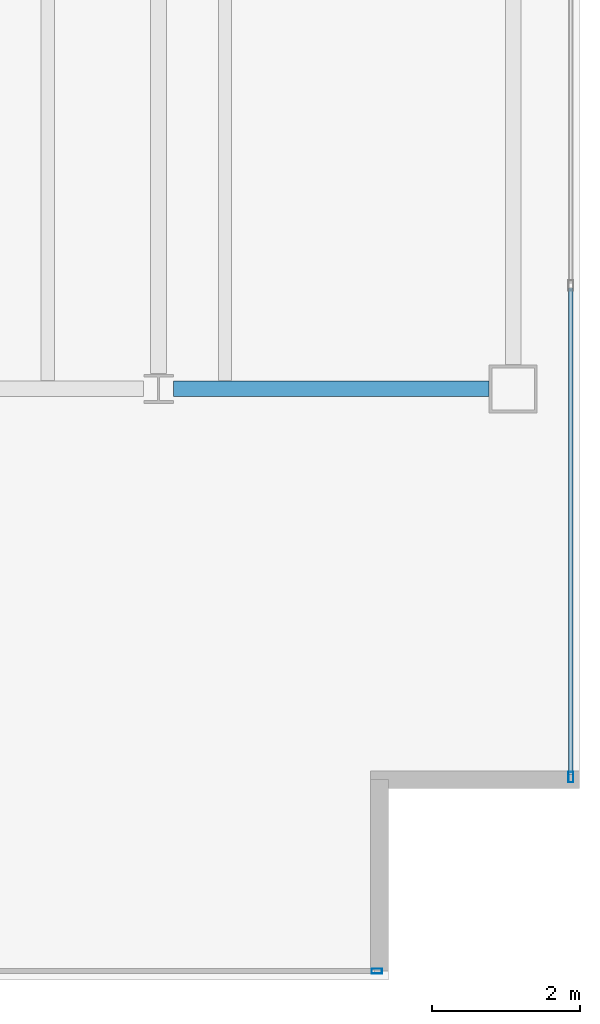
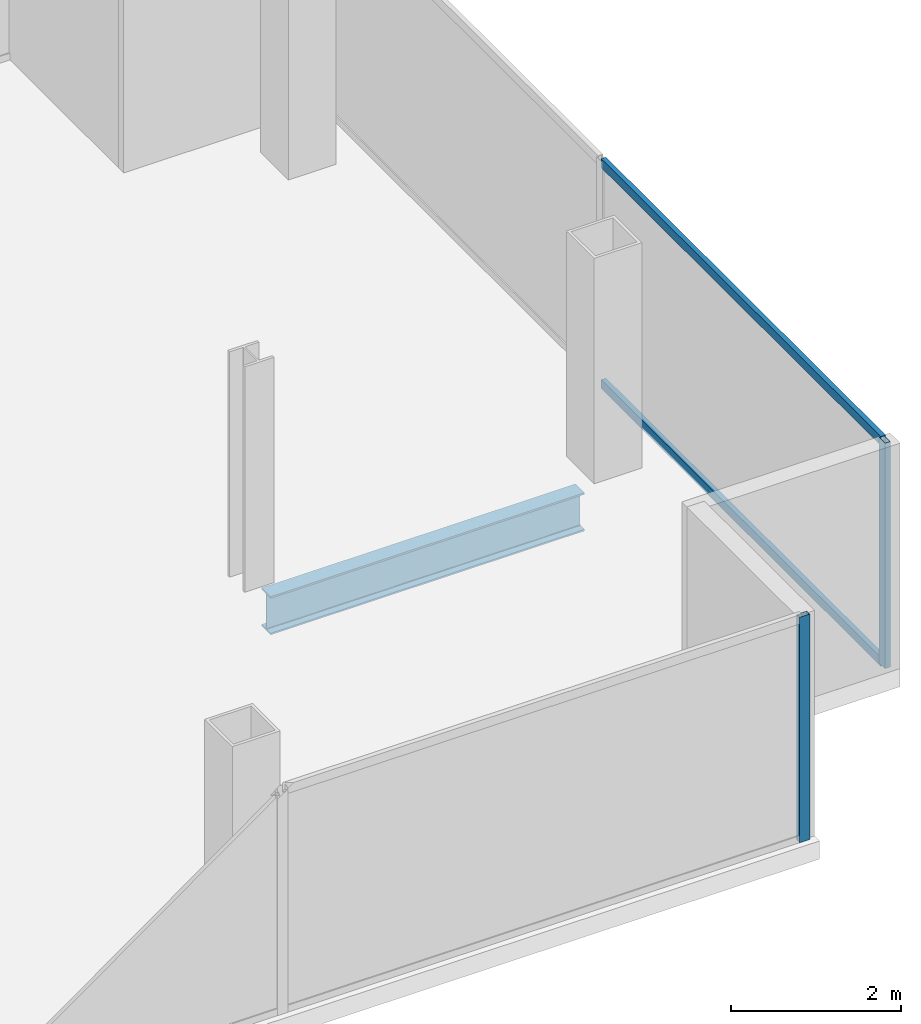
# One storey, part 14 of 23: 4 members, 1 beam, 2 elements without a shape of their own.
"""IFC4 building model written with IfcOpenShell, lengths in metres."""

from ifc_helpers import new_model, si_unit, direction, frame, origin, origin_2d, place, context, subcontext, project, spatial, hollow_rectangle, i_section, extrude, material, material_profile, profile_set, type_object, element, aggregate, save


model = new_model("IFC4")

# Units and contexts
model_context = context("Model", 3, precision=1e-05, world=origin(), true_north=direction((0.0, 1.0)))
body_context = subcontext(model_context, "Body", "Model", "MODEL_VIEW")
ifc_project = project(units=[si_unit("LENGTHUNIT", "METRE"), si_unit("AREAUNIT", "SQUARE_METRE"), si_unit("VOLUMEUNIT", "CUBIC_METRE"), si_unit("PLANEANGLEUNIT", "RADIAN"), si_unit("MASSUNIT", "GRAM", prefix="KILO")], contexts=[model_context])

# Site, building, storey
site_placement = place(None, origin())
site = spatial("IfcSite", under=ifc_project, at=site_placement, CompositionType="ELEMENT")
building_placement = place(site_placement, origin())
building = spatial("IfcBuilding", under=site, at=building_placement, Name="Cobrela Telecom Tower", CompositionType="ELEMENT")
storey_placement = place(building_placement, frame((0.0, 0.0, 269.14990234375)))
storey = spatial("IfcBuildingStorey", under=building, at=storey_placement, Name="L70", CompositionType="ELEMENT", Elevation=269.14990234375)

# Beam
ifc_material_1 = material(Name="Steel ASTM A992 Grade 50", Category="steel")
ifc_material_profile_1 = material_profile(ifc_material_1, i_section(OverallWidth=0.212890625, OverallDepth=0.549072265625, WebThickness=0.0146484375, FlangeThickness=0.023681640625, FilletRadius=0.013916015625, at=origin_2d()), Name="W21X93")
ifc_profile_set_1 = profile_set([ifc_material_profile_1], Name="Steel ASTM A992 Grade 50")
beam_type = type_object("IfcBeamType", Name="BM-GIRD-08", PredefinedType="USERDEFINED", material=ifc_profile_set_1)
beam_placement = place(storey_placement, frame((40.1044921875, 14.39990234375, -0.534423828125), z_axis=(1.0, 0.0, 0.0), x_axis=(0.0, 1.0, 0.0)))
element("IfcBeam", 1, at=beam_placement, inside=storey, type_object=beam_type, Name="L70 Primary Girder X09", ObjectType="GIRDER", PredefinedType="USERDEFINED", context=body_context, shape_type="SweptSolid", body=[
    extrude(i_section(OverallWidth=0.212890625, OverallDepth=0.549072265625, WebThickness=0.0146484375, FlangeThickness=0.023681640625, FilletRadius=0.013916015625, at=origin_2d()), origin(), (0.0, 0.0, 1.0), 4.265625),
])

# Curtain wall, member
ifc_material_2 = material(Name="Anodized Bronze Aluminium 6063-T6", Category="aluminium")
curtain_wall_type = type_object("IfcCurtainWallType", Name="CW-SYS-OFF-HI", PredefinedType="USERDEFINED", material=ifc_material_2)
curtain_wall_1_placement = place(storey_placement, origin())
curtain_wall_1 = element("IfcCurtainWall", 2, at=curtain_wall_1_placement, inside=storey, type_object=curtain_wall_type, Name="L70 Unitised Bronze Curtain Wall 12", ObjectType="UNITISED CURTAIN WALL", PredefinedType="USERDEFINED")
ifc_material_profile_2 = material_profile(ifc_material_2, hollow_rectangle(XDim=0.070068359375, YDim=0.139892578125, WallThickness=0.00390625, at=origin_2d()), Name="ALU 70x140x4")
ifc_profile_set_2 = profile_set([ifc_material_profile_2], Name="Anodized Bronze Aluminium 6063-T6")
member_type_1 = type_object("IfcMemberType", Name="CW-SYS-OFF-HI-MUL", PredefinedType="MULLION", material=ifc_profile_set_2)
member_1_placement = place(storey_placement, frame((45.47998046875, 9.14501953125, 0.0), z_axis=(0.0, 0.0, 1.0), x_axis=(1.0, 0.0, 0.0)))
member_1 = element("IfcMember", 3, at=member_1_placement, type_object=member_type_1, Name="CW-OFF-HI mullion 3", PredefinedType="MULLION", context=body_context, shape_type="SweptSolid", body=[
    extrude(hollow_rectangle(XDim=0.070068359375, YDim=0.139892578125, WallThickness=0.00390625, at=origin_2d()), origin(), (0.0, 0.0, 1.0), 3.239990234375),
])

curtain_wall_2_placement = place(storey_placement, origin())
curtain_wall_2 = element("IfcCurtainWall", 4, at=curtain_wall_2_placement, inside=storey, type_object=curtain_wall_type, Name="L70 Unitised Bronze Curtain Wall 15", ObjectType="UNITISED CURTAIN WALL", PredefinedType="USERDEFINED")
member_2_placement = place(storey_placement, frame((42.85498046875, 6.52001953125, 0.0), z_axis=(0.0, 0.0, 1.0), x_axis=(0.0, -1.0, 0.0)))
member_2 = element("IfcMember", 5, at=member_2_placement, type_object=member_type_1, Name="CW-OFF-HI mullion 1", PredefinedType="MULLION", context=body_context, shape_type="SweptSolid", body=[
    extrude(hollow_rectangle(XDim=0.070068359375, YDim=0.139892578125, WallThickness=0.00390625, at=origin_2d()), origin(), (0.0, 0.0, 1.0), 3.239990234375),
])
aggregate(curtain_wall_2, [member_2])

# Member
ifc_material_profile_3 = material_profile(ifc_material_2, hollow_rectangle(XDim=0.06494140625, YDim=0.1298828125, WallThickness=0.00390625, at=origin_2d()), Name="ALU 65x130x4")
ifc_profile_set_3 = profile_set([ifc_material_profile_3], Name="Anodized Bronze Aluminium 6063-T6")
member_type_2 = type_object("IfcMemberType", Name="CW-SYS-OFF-HI-TRN", PredefinedType="USERDEFINED", material=ifc_profile_set_3)
member_3_placement = place(storey_placement, frame((45.47998046875, 15.764892578125, 0.03271484375), z_axis=(0.0, -1.0, 0.0), x_axis=(1.0, 0.0, 0.0)))
member_3 = element("IfcMember", 6, at=member_3_placement, type_object=member_type_2, Name="CW-OFF-HI transom 2.1", ObjectType="TRANSOM", PredefinedType="USERDEFINED", context=body_context, shape_type="SweptSolid", body=[
    extrude(hollow_rectangle(XDim=0.06494140625, YDim=0.1298828125, WallThickness=0.00390625, at=origin_2d()), origin(), (0.0, 0.0, 1.0), 6.5849609375),
])

member_4_placement = place(storey_placement, frame((45.47998046875, 15.764892578125, 3.20751953125), z_axis=(0.0, -1.0, 0.0), x_axis=(1.0, 0.0, 0.0)))
member_4 = element("IfcMember", 7, at=member_4_placement, type_object=member_type_2, Name="CW-OFF-HI transom 2.2", ObjectType="TRANSOM", PredefinedType="USERDEFINED", context=body_context, shape_type="SweptSolid", body=[
    extrude(hollow_rectangle(XDim=0.06494140625, YDim=0.1298828125, WallThickness=0.00390625, at=origin_2d()), origin(), (0.0, 0.0, 1.0), 6.5849609375),
])

aggregate(curtain_wall_1, [member_1, member_3, member_4])

save(model, "model.ifc")
